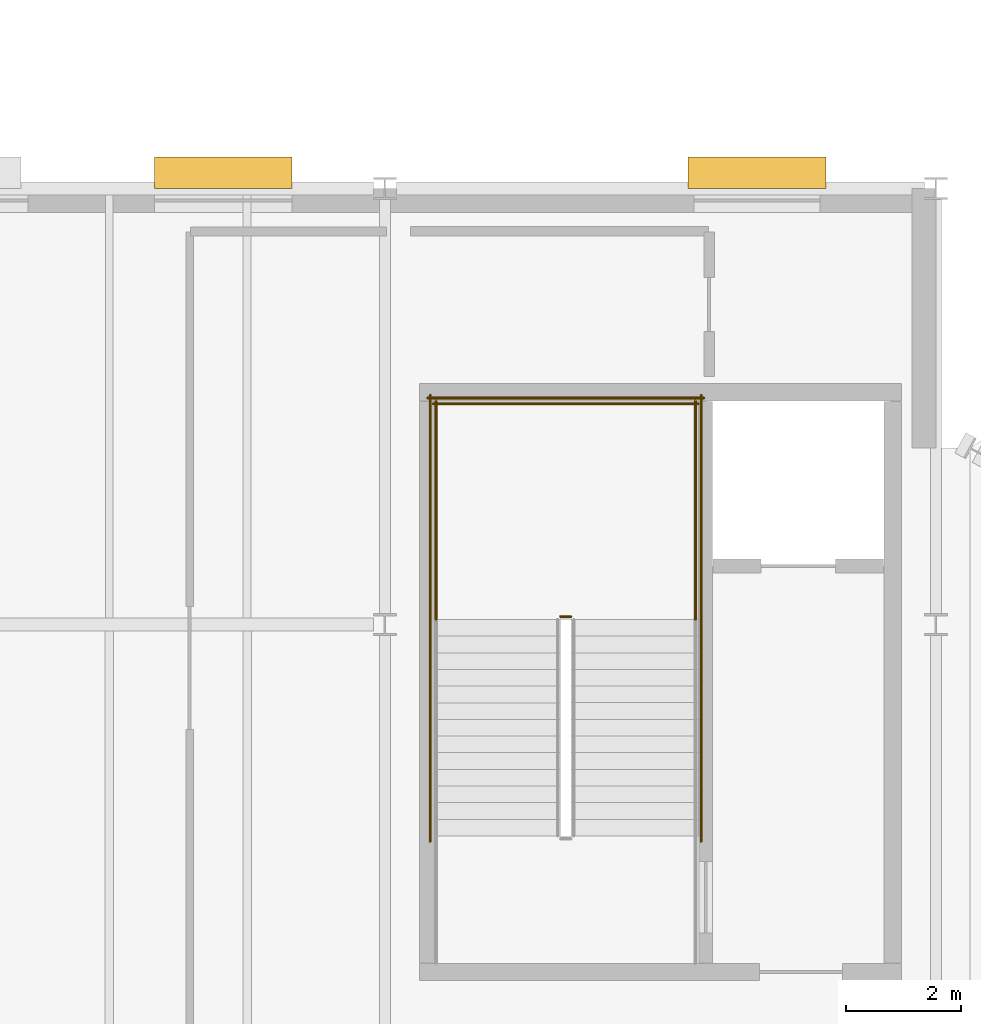
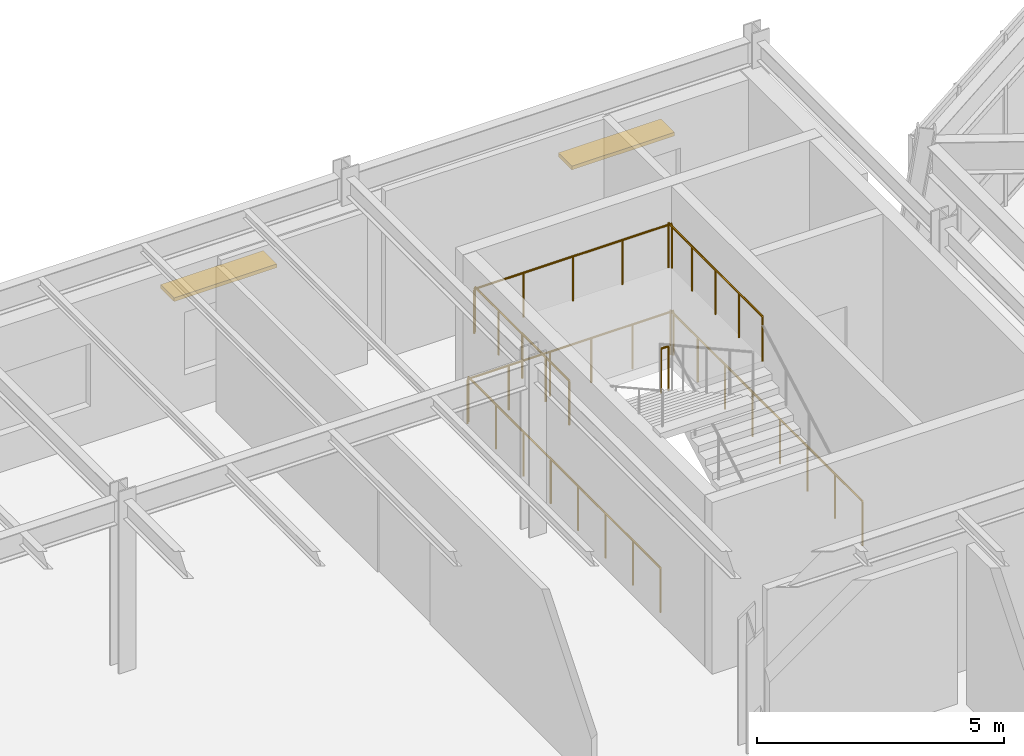
# One storey, part 87 of 88: 7 railings, 2 shading devices.
"""IFC4 building model written with IfcOpenShell, lengths in metres."""

from ifc_helpers import new_model, si_unit, direction, frame, origin, origin_2d, place, context, subcontext, project, spatial, rectangle, circle, extrude, material, layer, layer_set, type_object, element, save


model = new_model("IFC4")

# Units and contexts
model_context = context("Model", 3, precision=1e-05, world=origin(), true_north=direction((0.0, 1.0)))
body_context = subcontext(model_context, "Body", "Model", "MODEL_VIEW")
ifc_project = project(units=[si_unit("LENGTHUNIT", "METRE"), si_unit("AREAUNIT", "SQUARE_METRE"), si_unit("VOLUMEUNIT", "CUBIC_METRE"), si_unit("PLANEANGLEUNIT", "RADIAN"), si_unit("MASSUNIT", "GRAM", prefix="KILO")], contexts=[model_context])

# Site, building, storey
site_placement = place(None, origin())
site = spatial("IfcSite", under=ifc_project, at=site_placement, CompositionType="ELEMENT")
building_placement = place(site_placement, origin())
building = spatial("IfcBuilding", under=site, at=building_placement, Name="Sarnbrook Museum", CompositionType="ELEMENT")
storey_placement = place(building_placement, frame((0.0, 0.0, 10.10009765625)))
storey = spatial("IfcBuildingStorey", under=building, at=storey_placement, Name="L02", CompositionType="ELEMENT", Elevation=10.10009765625)

# Shading devices
ifc_material_1 = material(Name="Patinated Architectural Bronze")
shading_device_type = type_object("IfcShadingDeviceType", Name="BriseSoleil_Horizontal", PredefinedType="SHUTTER", material=ifc_material_1)
for number, where, z_axis, x_axis, name in (
    (1, (116.083984375, 108.669921875, 2.46484375), (0.0, 0.0, 1.0), (1.0, 0.0, 0.0), "Horizontal Bronze Brise-Soleil BS-014"),
    (2, (106.783935546875, 108.669921875, 2.46484375), (0.0, 0.0, 1.0), (1.0, 0.0, 0.0), "Horizontal Bronze Brise-Soleil BS-015"),
):
    element("IfcShadingDevice", number, at=place(storey_placement, frame(where, z_axis=z_axis, x_axis=x_axis)), inside=storey, type_object=shading_device_type, Name=name, PredefinedType="SHUTTER", context=body_context, shape_type="SweptSolid", body=[
        extrude(rectangle(XDim=2.39990234375, YDim=0.550048828125, at=origin_2d()), origin(), (0.0, 0.0, 1.0), 0.090087890625),
    ])

# Railings
ifc_material_2 = material(Name="Brushed Stainless Steel Grade 316", Category="steel")
ifc_layer = layer(ifc_material_2, 0.050048828125)
ifc_layer_set = layer_set([ifc_layer], Name="Brushed Stainless Steel Grade 316")
railing_type = type_object("IfcRailingType", Name="Guard_Int1120", PredefinedType="BALUSTRADE", material=ifc_layer_set)
railing_1_placement = place(storey_placement, frame((112.840087890625, 100.93994140625, 2.25)))
element("IfcRailing", 3, at=railing_1_placement, inside=storey, type_object=railing_type, Name="L02 ST2 stair guard 2", PredefinedType="BALUSTRADE", context=body_context, shape_type="SweptSolid", body=[
    extrude(circle(Radius=0.02392578125, at=origin_2d()), frame((0.0, 0.0, 1.09619140625), z_axis=(-1.0, 0.0, 0.0), x_axis=(0.0, -1.0, 0.0)), (0.0, 0.0, 1.0), 0.18017578125),
    extrude(circle(Radius=0.02099609375, at=origin_2d()), origin(), (0.0, 0.0, 1.0), 1.072021484375),
    extrude(circle(Radius=0.02099609375, at=origin_2d()), frame((-0.18017578125, 0.0, 0.0)), (0.0, 0.0, 1.0), 1.072021484375),
])
for number, where, name in (
    (4, (115.010009765625, 100.889892578125, 2.25), "L02 ST2 stair guard 3"),
    (5, (110.489990234375, 100.889892578125, 2.25), "L02 ST2 stair guard 4"),
):
    element("IfcRailing", number, at=place(storey_placement, frame(where)), inside=storey, type_object=railing_type, Name=name, PredefinedType="BALUSTRADE", context=body_context, shape_type="SweptSolid", body=[
        extrude(circle(Radius=0.02392578125, at=origin_2d()), frame((0.0, 0.0, 1.09619140625), z_axis=(0.0, 1.0, 0.0), x_axis=(-1.0, 0.0, 0.0)), (0.0, 0.0, 1.0), 3.81005859375),
        extrude(circle(Radius=0.02099609375, at=origin_2d()), origin(), (0.0, 0.0, 1.0), 1.072021484375),
        extrude(circle(Radius=0.02099609375, at=origin_2d()), frame((0.0, 0.95263671875, 0.0)), (0.0, 0.0, 1.0), 1.072021484375),
        extrude(circle(Radius=0.02099609375, at=origin_2d()), frame((0.0, 1.905029296875, 0.0)), (0.0, 0.0, 1.0), 1.072021484375),
        extrude(circle(Radius=0.02099609375, at=origin_2d()), frame((0.0, 2.857421875, 0.0)), (0.0, 0.0, 1.0), 1.072021484375),
        extrude(circle(Radius=0.02099609375, at=origin_2d()), frame((0.0, 3.81005859375, 0.0)), (0.0, 0.0, 1.0), 1.072021484375),
    ])
railing_2_placement = place(storey_placement, frame((115.06005859375, 104.64990234375, 2.25)))
element("IfcRailing", 6, at=railing_2_placement, inside=storey, type_object=railing_type, Name="L02 ST2 stair guard 5", PredefinedType="BALUSTRADE", context=body_context, shape_type="SweptSolid", body=[
    extrude(circle(Radius=0.02392578125, at=origin_2d()), frame((0.0, 0.0, 1.09619140625), z_axis=(-1.0, 0.0, 0.0), x_axis=(0.0, -1.0, 0.0)), (0.0, 0.0, 1.0), 4.6201171875),
    extrude(circle(Radius=0.02099609375, at=origin_2d()), origin(), (0.0, 0.0, 1.0), 1.072021484375),
    extrude(circle(Radius=0.02099609375, at=origin_2d()), frame((-1.155029296875, 0.0, 0.0)), (0.0, 0.0, 1.0), 1.072021484375),
    extrude(circle(Radius=0.02099609375, at=origin_2d()), frame((-2.31005859375, 0.0, 0.0)), (0.0, 0.0, 1.0), 1.072021484375),
    extrude(circle(Radius=0.02099609375, at=origin_2d()), frame((-3.465087890625, 0.0, 0.0)), (0.0, 0.0, 1.0), 1.072021484375),
    extrude(circle(Radius=0.02099609375, at=origin_2d()), frame((-4.6201171875, 0.0, 0.0)), (0.0, 0.0, 1.0), 1.072021484375),
])
for number, where, name in (
    (7, (115.110107421875, 97.02001953125, 0.0), "L02 ST2 stair guard 10"),
    (8, (110.389892578125, 97.02001953125, 0.0), "L02 ST2 stair guard 11"),
):
    element("IfcRailing", number, at=place(storey_placement, frame(where)), inside=storey, type_object=railing_type, Name=name, PredefinedType="BALUSTRADE", context=body_context, shape_type="SweptSolid", body=[
        extrude(circle(Radius=0.02392578125, at=origin_2d()), frame((0.0, 0.0, 1.09619140625), z_axis=(0.0, 1.0, 0.0), x_axis=(-1.0, 0.0, 0.0)), (0.0, 0.0, 1.0), 7.780029296875),
        extrude(circle(Radius=0.02099609375, at=origin_2d()), origin(), (0.0, 0.0, 1.0), 1.072021484375),
        extrude(circle(Radius=0.02099609375, at=origin_2d()), frame((0.0, 1.111328125, 0.0)), (0.0, 0.0, 1.0), 1.072021484375),
        extrude(circle(Radius=0.02099609375, at=origin_2d()), frame((0.0, 2.222900390625, 0.0)), (0.0, 0.0, 1.0), 1.072021484375),
        extrude(circle(Radius=0.02099609375, at=origin_2d()), frame((0.0, 3.334228515625, 0.0)), (0.0, 0.0, 1.0), 1.072021484375),
        extrude(circle(Radius=0.02099609375, at=origin_2d()), frame((0.0, 4.44580078125, 0.0)), (0.0, 0.0, 1.0), 1.072021484375),
        extrude(circle(Radius=0.02099609375, at=origin_2d()), frame((0.0, 5.55712890625, 0.0)), (0.0, 0.0, 1.0), 1.072021484375),
        extrude(circle(Radius=0.02099609375, at=origin_2d()), frame((0.0, 6.668701171875, 0.0)), (0.0, 0.0, 1.0), 1.072021484375),
        extrude(circle(Radius=0.02099609375, at=origin_2d()), frame((0.0, 7.780029296875, 0.0)), (0.0, 0.0, 1.0), 1.072021484375),
    ])
railing_3_placement = place(storey_placement, frame((115.159912109375, 104.75, 0.0)))
element("IfcRailing", 9, at=railing_3_placement, inside=storey, type_object=railing_type, Name="L02 ST2 stair guard 12", PredefinedType="BALUSTRADE", context=body_context, shape_type="SweptSolid", body=[
    extrude(circle(Radius=0.02392578125, at=origin_2d()), frame((0.0, 0.0, 1.09619140625), z_axis=(-1.0, 0.0, 0.0), x_axis=(0.0, -1.0, 0.0)), (0.0, 0.0, 1.0), 4.81982421875),
    extrude(circle(Radius=0.02099609375, at=origin_2d()), origin(), (0.0, 0.0, 1.0), 1.072021484375),
    extrude(circle(Radius=0.02099609375, at=origin_2d()), frame((-0.9638671875, 0.0, 0.0)), (0.0, 0.0, 1.0), 1.072021484375),
    extrude(circle(Radius=0.02099609375, at=origin_2d()), frame((-1.927978515625, 0.0, 0.0)), (0.0, 0.0, 1.0), 1.072021484375),
    extrude(circle(Radius=0.02099609375, at=origin_2d()), frame((-2.891845703125, 0.0, 0.0)), (0.0, 0.0, 1.0), 1.072021484375),
    extrude(circle(Radius=0.02099609375, at=origin_2d()), frame((-3.85595703125, 0.0, 0.0)), (0.0, 0.0, 1.0), 1.072021484375),
    extrude(circle(Radius=0.02099609375, at=origin_2d()), frame((-4.81982421875, 0.0, 0.0)), (0.0, 0.0, 1.0), 1.072021484375),
])

save(model, "model.ifc")
